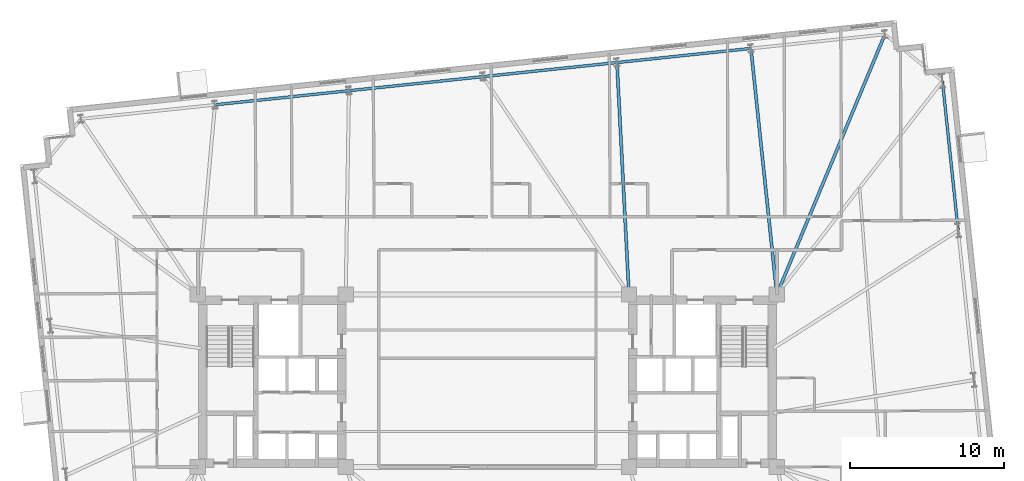
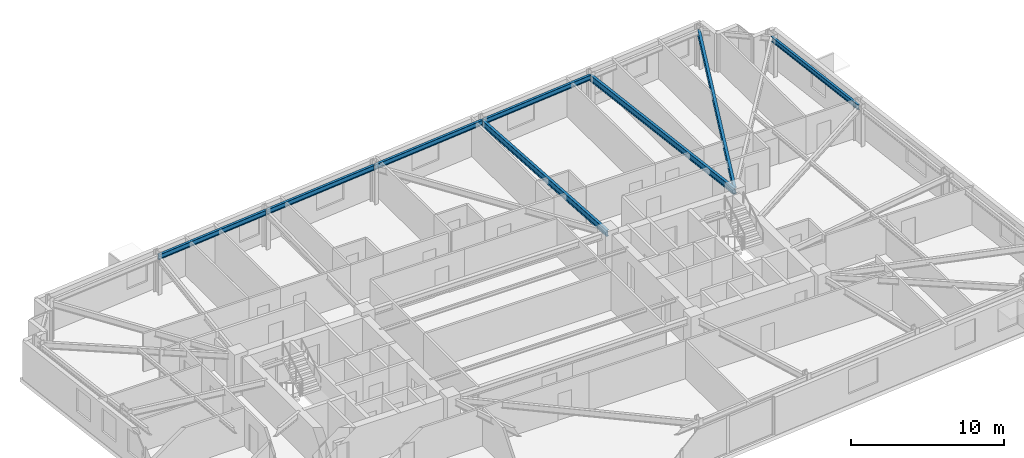
# One storey, part 13 of 22: 8 beams.
"""IFC4 building model written with IfcOpenShell, lengths in metres."""

import ifcopenshell
import ifcopenshell.guid

model = None  # the IFC model being written
_history = None  # IfcOwnerHistory: only IFC2X3 demands one
_inside = {}  # id of a spatial element -> (the spatial element, [elements in it])
_under = {}  # id of a project, library or spatial element -> (it, [spatial elements below it])
_declared = {}  # id of a project -> (the project, [libraries it declares])
_typed = {}  # id of a type object -> (the type object, [elements of that type])
_made_of = {}  # id of a material, layer set ... -> (it, [elements and type objects made of it])


def new_model(schema):
    """Start an empty IFC model of exactly this schema.

    Asked for "IFC4X3", IfcOpenShell would pick the latest addendum, in which some entities
    have other attributes; the version numbers below select the first issue.
    IFC2X3 requires an IfcOwnerHistory on every rooted entity: one is made here for all.
    """
    global model, _history
    if schema == "IFC4X3":
        model = ifcopenshell.file(schema_version=(4, 3, 0, 0))
    else:
        model = ifcopenshell.file(schema=schema)
    _inside.clear()
    _under.clear()
    _declared.clear()
    _typed.clear()
    _made_of.clear()
    _history = None
    if model.schema == "IFC2X3":
        org = make("IfcOrganization", Name="unknown")
        user = make(
            "IfcPersonAndOrganization",
            ThePerson=make("IfcPerson", FamilyName="unknown"),
            TheOrganization=org,
        )
        app = make(
            "IfcApplication",
            ApplicationDeveloper=org,
            Version="unknown",
            ApplicationFullName="unknown",
            ApplicationIdentifier="unknown",
        )
        _history = make(
            "IfcOwnerHistory",
            OwningUser=user,
            OwningApplication=app,
            ChangeAction="ADDED",
            CreationDate=0,
        )
    return model


def make(cls, **values):
    """One entity of the class cls with the attributes given. An attribute that is None is left unset."""
    return model.create_entity(
        cls, **{name: value for name, value in values.items() if value is not None}
    )


def rooted(cls, **values):
    """An entity with a GlobalId (a new one), such as an element, a storey or a relation."""
    return make(cls, GlobalId=ifcopenshell.guid.new(), OwnerHistory=_history, **values)


def si_unit(unit_type, name, prefix=None):
    """IfcSIUnit, for example si_unit("LENGTHUNIT", "METRE", prefix="MILLI")."""
    return make("IfcSIUnit", UnitType=unit_type, Prefix=prefix, Name=name)


def assignment(units):
    """IfcUnitAssignment: the units of a project."""
    return None if units is None else make("IfcUnitAssignment", Units=units)


def point(xyz):
    """IfcCartesianPoint."""
    return None if xyz is None else make("IfcCartesianPoint", Coordinates=xyz)


def direction(xyz):
    """IfcDirection."""
    return None if xyz is None else make("IfcDirection", DirectionRatios=xyz)


def frame(location, z_axis=None, x_axis=None):
    """IfcAxis2Placement3D, a coordinate frame: its origin and axes. An axis left out is left unset."""
    return make(
        "IfcAxis2Placement3D",
        Location=point(location),
        Axis=direction(z_axis),
        RefDirection=direction(x_axis),
    )


def frame_2d(location, x_axis=None):
    """IfcAxis2Placement2D, a coordinate frame in the plane: its origin and x axis."""
    return make(
        "IfcAxis2Placement2D", Location=point(location), RefDirection=direction(x_axis)
    )


def origin():
    """The frame at (0, 0, 0) with its axes left unset."""
    return frame((0.0, 0.0, 0.0))


def origin_2d():
    """The frame at (0, 0) in the plane with its x axis left unset."""
    return frame_2d((0.0, 0.0))


def place(relative_to, where):
    """IfcLocalPlacement: puts the frame where relative to a parent placement (None: the world)."""
    return make(
        "IfcLocalPlacement", PlacementRelTo=relative_to, RelativePlacement=where
    )


def context(
    kind, dimensions, precision=None, world=None, true_north=None, identifier=None
):
    """IfcGeometricRepresentationContext, for example the 3D "Model" context."""
    return make(
        "IfcGeometricRepresentationContext",
        ContextIdentifier=identifier,
        ContextType=kind,
        CoordinateSpaceDimension=dimensions,
        Precision=precision,
        WorldCoordinateSystem=world,
        TrueNorth=true_north,
    )


def subcontext(parent, identifier, kind, view, scale=None):
    """IfcGeometricRepresentationSubContext, for example "Body" below "Model"."""
    return make(
        "IfcGeometricRepresentationSubContext",
        ContextIdentifier=identifier,
        ContextType=kind,
        ParentContext=parent,
        TargetScale=scale,
        TargetView=view,
    )


def project(units=None, contexts=None):
    """IfcProject with its units and contexts."""
    return rooted(
        "IfcProject",
        Name="project",
        RepresentationContexts=contexts,
        UnitsInContext=assignment(units),
    )


def spatial(cls, under=None, at=None, **own):
    """A site, building, storey or space (cls), placed at a placement, below another one or the project."""
    s = rooted(cls, ObjectPlacement=at, **own)
    if under is not None:
        _under.setdefault(under.id(), (under, []))[1].append(s)
    return s


def profile(cls, at=None, kind="AREA", **sizes):
    """A parametric profile (cls). Its sizes go by their IFC names, for example OverallWidth=200.0."""
    return make(cls, ProfileType=kind, Position=at, **sizes)


def i_section(**sizes):
    """IfcIShapeProfileDef."""
    return profile("IfcIShapeProfileDef", **sizes)


def extrude(swept, where, along, depth):
    """IfcExtrudedAreaSolid: the profile swept, set in the frame where, extruded along a direction by depth."""
    return make(
        "IfcExtrudedAreaSolid",
        SweptArea=swept,
        Position=where,
        ExtrudedDirection=direction(along),
        Depth=depth,
    )


def shape(context_of_items, identifier, shape_type, items):
    """IfcShapeRepresentation: the items that make up one representation, for example the "Body"."""
    return make(
        "IfcShapeRepresentation",
        ContextOfItems=context_of_items,
        RepresentationIdentifier=identifier,
        RepresentationType=shape_type,
        Items=items,
    )


def material(Name=None, Category=None):
    """IfcMaterial."""
    return make("IfcMaterial", Name=Name, Category=Category)


def material_profile(
    of_material, cross_section, Name=None, Category=None, Priority=None
):
    """IfcMaterialProfile: a cross section and its material."""
    return make(
        "IfcMaterialProfile",
        Name=Name,
        Material=of_material,
        Profile=cross_section,
        Priority=Priority,
        Category=Category,
    )


def profile_set(profiles, Name=None, composite=None):
    """IfcMaterialProfileSet."""
    return make(
        "IfcMaterialProfileSet",
        Name=Name,
        MaterialProfiles=profiles,
        CompositeProfile=composite,
    )


def made_of(thing, what):
    """Note that an element or type object is made of a material, layer set ...; save() writes the relation."""
    if what is not None:
        _made_of.setdefault(what.id(), (what, []))[1].append(thing)
    return thing


def type_object(cls, material=None, **own):
    """A type object (cls), such as IfcWallType, which elements share."""
    return made_of(rooted(cls, **own), material)


def element(
    cls,
    number,
    at=None,
    inside=None,
    cuts=None,
    type_object=None,
    material=None,
    context=None,
    identifier="Body",
    shape_type=None,
    held_by="IfcProductDefinitionShape",
    body=None,
    shapes=None,
    **own,
):
    """One element of the class cls, such as IfcWall. Its Tag is "e" and its number.

    at: its placement. inside: the storey or other place that contains it. cuts: it is an
    opening in that element (IfcRelVoidsElement). A single representation is given by context,
    identifier, shape_type and body (its items); several are given by shapes. held_by: the class
    of the entity that holds the representations. save() writes the other relations.
    """
    e = rooted(cls, Tag="e%d" % number, ObjectPlacement=at, **own)
    if body is not None:
        shapes = [shape(context, identifier, shape_type, body)]
    if shapes is not None:
        e.Representation = make(held_by, Representations=shapes)
    if inside is not None:
        _inside.setdefault(inside.id(), (inside, []))[1].append(e)
    if cuts is not None:
        rooted(
            "IfcRelVoidsElement", RelatingBuildingElement=cuts, RelatedOpeningElement=e
        )
    if type_object is not None:
        _typed.setdefault(type_object.id(), (type_object, []))[1].append(e)
    return made_of(e, material)


def aggregate(whole, parts):
    """IfcRelAggregates: a whole, such as a stair, and the parts it consists of."""
    return rooted("IfcRelAggregates", RelatingObject=whole, RelatedObjects=parts)


def save(model, path):
    """Write the relations noted so far, then the file.

    IfcRelAggregates (storeys below a building ...), IfcRelContainedInSpatialStructure (elements
    in a storey), IfcRelDefinesByType, IfcRelAssociatesMaterial and IfcRelDeclares: one each for
    every whole, place, type object, material and project.
    """
    for whole, parts in _under.values():
        aggregate(whole, parts)
    for where, things in _inside.values():
        rooted(
            "IfcRelContainedInSpatialStructure",
            RelatedElements=things,
            RelatingStructure=where,
        )
    for kind, things in _typed.values():
        rooted("IfcRelDefinesByType", RelatedObjects=things, RelatingType=kind)
    for what, things in _made_of.values():
        rooted("IfcRelAssociatesMaterial", RelatedObjects=things, RelatingMaterial=what)
    for by, libraries in _declared.values():
        rooted("IfcRelDeclares", RelatingContext=by, RelatedDefinitions=libraries)
    model.write(path)


model = new_model("IFC4")

# Units and contexts
model_context = context("Model", 3, precision=1e-05, world=origin(), true_north=direction((0.0, 1.0)))
body_context = subcontext(model_context, "Body", "Model", "MODEL_VIEW")
ifc_project = project(units=[si_unit("LENGTHUNIT", "METRE"), si_unit("AREAUNIT", "SQUARE_METRE"), si_unit("VOLUMEUNIT", "CUBIC_METRE"), si_unit("PLANEANGLEUNIT", "RADIAN"), si_unit("MASSUNIT", "GRAM", prefix="KILO")], contexts=[model_context])

# Site, building, storey
site_placement = place(None, origin())
site = spatial("IfcSite", under=ifc_project, at=site_placement, CompositionType="ELEMENT")
building_placement = place(site_placement, origin())
building = spatial("IfcBuilding", under=site, at=building_placement, Name="Qobustan Lattice House", CompositionType="ELEMENT")
storey_placement = place(building_placement, frame((0.0, 0.0, 99.10009765625)))
storey = spatial("IfcBuildingStorey", under=building, at=storey_placement, Name="L27", CompositionType="ELEMENT", Elevation=99.10009765625)

# Beams
ifc_material_1 = material(Name="Steel S355", Category="steel")
ifc_material_profile_1 = material_profile(ifc_material_1, i_section(OverallWidth=0.199951171875, OverallDepth=0.5, WebThickness=0.01025390625, FlangeThickness=0.01611328125, FilletRadius=0.02099609375, at=origin_2d()), Name="IPE500")
ifc_profile_set_1 = profile_set([ifc_material_profile_1], Name="Steel S355")
beam_type_1 = type_object("IfcBeamType", Name="BM-FLG-IPE500", PredefinedType="USERDEFINED", material=ifc_profile_set_1)
beam_1_placement = place(storey_placement, frame((8.41650390625, 20.640625, 2.794921875), z_axis=(0.052023629628, -0.998645854125, 0.0), x_axis=(0.998645854125, 0.052023629628, 0.0)))
element("IfcBeam", 1, at=beam_1_placement, inside=storey, type_object=beam_type_1, Name="L27 primary floor girder RAD-N3", ObjectType="GIRDER", PredefinedType="USERDEFINED", context=body_context, shape_type="SweptSolid", body=[
    extrude(i_section(OverallWidth=0.199951171875, OverallDepth=0.5, WebThickness=0.01025390625, FlangeThickness=0.01611328125, FilletRadius=0.02099609375, at=origin_2d()), origin(), (0.0, 0.0, 1.0), 15.035888671875),
])
beam_2_placement = place(storey_placement, frame((17.1201171875, 21.555419921875, 2.794921875), z_axis=(0.104706999053, -0.994503114298, 0.0), x_axis=(0.994503114298, 0.104706999053, 0.0)))
element("IfcBeam", 2, at=beam_2_placement, inside=storey, type_object=beam_type_1, Name="L27 primary floor girder RAD-N2", ObjectType="GIRDER", PredefinedType="USERDEFINED", context=body_context, shape_type="SweptSolid", body=[
    extrude(i_section(OverallWidth=0.199951171875, OverallDepth=0.5, WebThickness=0.01025390625, FlangeThickness=0.01611328125, FilletRadius=0.02099609375, at=origin_2d()), origin(), (0.0, 0.0, 1.0), 16.0185546875),
])
beam_3_placement = place(storey_placement, frame((25.809814453125, 22.471923828125, 2.794921875), z_axis=(-0.383675501465, -0.923467979724, 0.0), x_axis=(0.923467979724, -0.383675501465, 0.0)))
element("IfcBeam", 3, at=beam_3_placement, inside=storey, type_object=beam_type_1, Name="L27 primary floor girder RAD-N1E", ObjectType="GIRDER", PredefinedType="USERDEFINED", context=body_context, shape_type="SweptSolid", body=[
    extrude(i_section(OverallWidth=0.199951171875, OverallDepth=0.5, WebThickness=0.01025390625, FlangeThickness=0.01611328125, FilletRadius=0.02099609375, at=origin_2d()), origin(), (0.0, 0.0, 1.0), 18.2451171875),
])
ifc_material_2 = material(Name="Steel S355", Category="steel")
ifc_material_profile_2 = material_profile(ifc_material_2, i_section(OverallWidth=0.179931640625, OverallDepth=0.39990234375, WebThickness=0.008544921875, FlangeThickness=0.013427734375, FilletRadius=0.02099609375, at=origin_2d()), Name="IPE400")
ifc_profile_set_2 = profile_set([ifc_material_profile_2], Name="Steel S355")
beam_type_2 = type_object("IfcBeamType", Name="BM-SPD-IPE400", PredefinedType="SPANDREL", material=ifc_profile_set_2)
beam_4_placement = place(storey_placement, frame((30.574462890625, 9.78076171875, 2.844970703125), z_axis=(-0.104525214252, 0.994522236848, 0.0), x_axis=(-0.994522236848, -0.104525214252, 0.0)))
element("IfcBeam", 4, at=beam_4_placement, inside=storey, type_object=beam_type_2, Name="L27 perimeter spandrel E3-E4", PredefinedType="SPANDREL", context=body_context, shape_type="SweptSolid", body=[
    extrude(i_section(OverallWidth=0.179931640625, OverallDepth=0.39990234375, WebThickness=0.008544921875, FlangeThickness=0.013427734375, FilletRadius=0.02099609375, at=origin_2d()), origin(), (0.0, 0.0, 1.0), 9.716552734375),
])
beam_5_placement = place(storey_placement, frame((17.092529296875, 21.577880859375, 2.844970703125), z_axis=(-0.994518668742, -0.104559158006, 0.0), x_axis=(0.104559158006, -0.994518668742, 0.0)))
element("IfcBeam", 5, at=beam_5_placement, inside=storey, type_object=beam_type_2, Name="L27 perimeter spandrel N2-N3", PredefinedType="SPANDREL", context=body_context, shape_type="SweptSolid", body=[
    extrude(i_section(OverallWidth=0.179931640625, OverallDepth=0.39990234375, WebThickness=0.008544921875, FlangeThickness=0.013427734375, FilletRadius=0.02099609375, at=origin_2d()), origin(), (0.0, 0.0, 1.0), 8.699951171875),
])
beam_6_placement = place(storey_placement, frame((8.390380859375, 20.6630859375, 2.844970703125), z_axis=(-0.994521279781, -0.10453432002, 0.0), x_axis=(0.10453432002, -0.994521279781, 0.0)))
element("IfcBeam", 6, at=beam_6_placement, inside=storey, type_object=beam_type_2, Name="L27 perimeter spandrel N3-N4", PredefinedType="SPANDREL", context=body_context, shape_type="SweptSolid", body=[
    extrude(i_section(OverallWidth=0.179931640625, OverallDepth=0.39990234375, WebThickness=0.008544921875, FlangeThickness=0.013427734375, FilletRadius=0.02099609375, at=origin_2d()), origin(), (0.0, 0.0, 1.0), 8.69970703125),
])
for number, where, z_axis, x_axis, name in (
    (7, (-0.3115234375, 19.74853515625, 2.844970703125), (-0.994521586424, -0.104531402636, 0.0), (0.104531402636, -0.994521586424, 0.0), "L27 perimeter spandrel N4-N5"),
    (8, (-9.013671875, 18.833984375, 2.844970703125), (-0.994521586424, -0.104531402636, 0.0), (0.104531402636, -0.994521586424, 0.0), "L27 perimeter spandrel N5-N6"),
):
    element("IfcBeam", number, at=place(storey_placement, frame(where, z_axis=z_axis, x_axis=x_axis)), inside=storey, type_object=beam_type_2, Name=name, PredefinedType="SPANDREL", context=body_context, shape_type="SweptSolid", body=[
        extrude(i_section(OverallWidth=0.179931640625, OverallDepth=0.39990234375, WebThickness=0.008544921875, FlangeThickness=0.013427734375, FilletRadius=0.02099609375, at=origin_2d()), origin(), (0.0, 0.0, 1.0), 8.699951171875),
    ])

save(model, "model.ifc")
